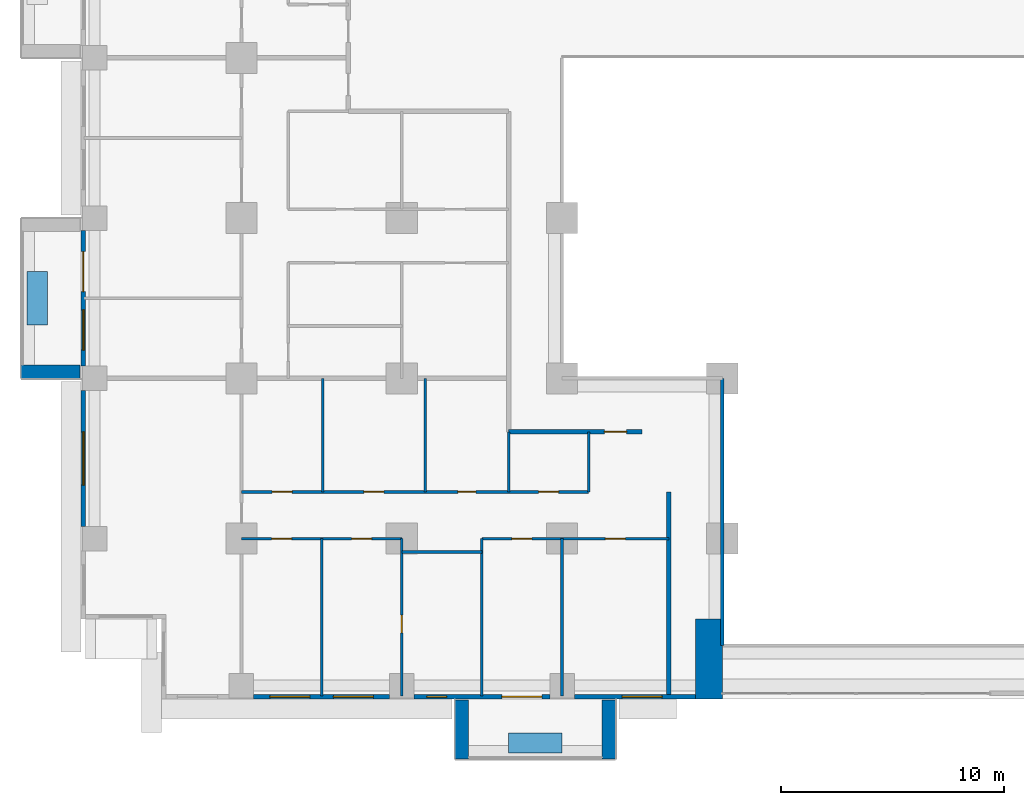
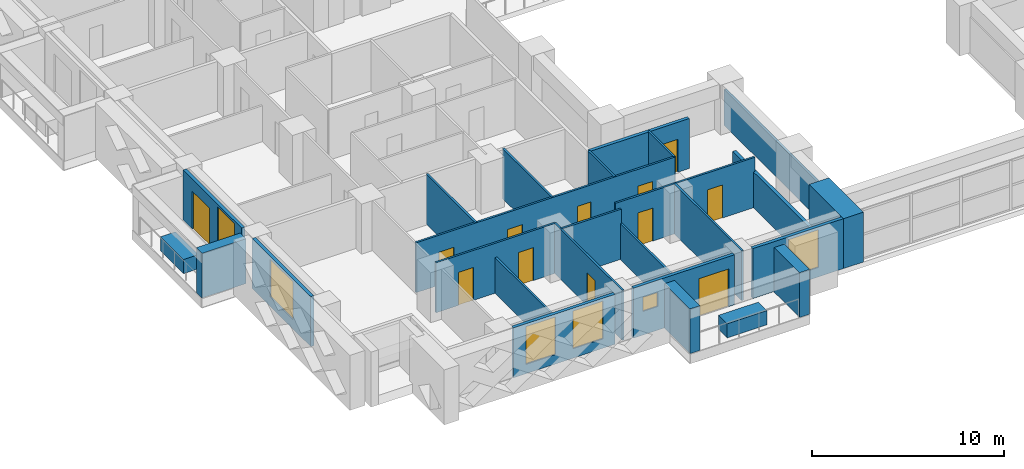
# One storey, part 6 of 17: 26 walls, 12 doors, 6 windows, 18 openings.
"""IFC4 building model written with IfcOpenShell, lengths in metres."""

from ifc_helpers import new_model, si_unit, direction, frame, frame_2d, origin, place, context, subcontext, project, spatial, rectangle, extrude, material, layer, layer_set, type_object, element, fill, save


model = new_model("IFC4")

# Units and contexts
model_context = context("Model", 3, precision=1e-05, world=origin(), true_north=direction((0.0, 1.0)))
body_context = subcontext(model_context, "Body", "Model", "MODEL_VIEW")
ifc_project = project(units=[si_unit("LENGTHUNIT", "METRE"), si_unit("AREAUNIT", "SQUARE_METRE"), si_unit("VOLUMEUNIT", "CUBIC_METRE"), si_unit("PLANEANGLEUNIT", "RADIAN"), si_unit("MASSUNIT", "GRAM", prefix="KILO")], contexts=[model_context])

# Site, building, storey
site_placement = place(None, origin())
site = spatial("IfcSite", under=ifc_project, at=site_placement, CompositionType="ELEMENT")
building_placement = place(site_placement, origin())
building = spatial("IfcBuilding", under=site, at=building_placement, Name="Saffron Iwan Residences", CompositionType="ELEMENT")
storey_placement = place(building_placement, frame((0.0, 0.0, 37.5)))
storey = spatial("IfcBuildingStorey", under=building, at=storey_placement, Name="L08", CompositionType="ELEMENT", Elevation=37.5)

# Walls
ifc_material_1 = material(Name="Fire-rated glazing", Category="glass")
ifc_layer_1 = layer(ifc_material_1, 0.14990234375)
ifc_layer_set_1 = layer_set([ifc_layer_1], Name="Fire-rated glazing")
wall_type_1 = type_object("IfcWallType", Name="Atrium glazed screen 150", PredefinedType="SOLIDWALL", material=ifc_layer_set_1)
wall_1_placement = place(storey_placement, frame((43.199951171875, 36.0, 0.0), z_axis=(0.0, 0.0, 1.0), x_axis=(0.0, 1.0, 0.0)))
element("IfcWall", 1, at=wall_1_placement, inside=storey, type_object=wall_type_1, Name="W-L08-SCREEN-v43.2-36", PredefinedType="SOLIDWALL", context=body_context, shape_type="SweptSolid", body=[
    extrude(rectangle(XDim=12.0, YDim=0.14990234375, at=frame_2d((6.0, 0.0))), origin(), (0.0, 0.0, 1.0), 2.280029296875),
])
ifc_material_2 = material(Name="Concrete C50/60 white painted", Category="concrete")
ifc_layer_2 = layer(ifc_material_2, 0.60009765625)
ifc_layer_set_2 = layer_set([ifc_layer_2], Name="Concrete C50/60 white painted")
wall_type_2 = type_object("IfcWallType", Name="BALCONY FIN 600", PredefinedType="SOLIDWALL", material=ifc_layer_set_2)
for number, where, z_axis, x_axis, name in (
    (2, (14.35009765625, 48.300048828125, 0.0), (0.0, 0.0, 1.0), (-1.0, 0.0, 0.0), "Balcony fin L08 F8-1b"),
    (3, (31.5, 33.550048828125, 0.0), (0.0, 0.0, 1.0), (0.0, -1.0, 0.0), "Balcony fin L08 11-0a"),
    (4, (38.10009765625, 33.550048828125, 0.0), (0.0, 0.0, 1.0), (0.0, -1.0, 0.0), "Balcony fin L08 11-0b"),
):
    element("IfcWall", number, at=place(storey_placement, frame(where, z_axis=z_axis, x_axis=x_axis)), inside=storey, type_object=wall_type_2, Name=name, PredefinedType="SOLIDWALL", context=body_context, shape_type="SweptSolid", body=[
        extrude(rectangle(XDim=2.650146484375, YDim=0.60009765625, at=frame_2d((1.3251953125, 0.0))), origin(), (0.0, 0.0, 1.0), 2.85009765625),
    ])
ifc_material_3 = material(Name="Concrete C35/45 white painted", Category="concrete")
ifc_layer_3 = layer(ifc_material_3, 0.14990234375)
ifc_layer_set_3 = layer_set([ifc_layer_3], Name="Concrete C35/45 white painted")
wall_type_3 = type_object("IfcWallType", Name="BALCONY PLANTER", PredefinedType="SOLIDWALL", material=ifc_layer_set_3)
wall_2_placement = place(storey_placement, frame((12.425048828125, 52.800048828125, 0.0), z_axis=(0.0, 0.0, 1.0), x_axis=(0.0, -1.0, 0.0)))
element("IfcWall", 5, at=wall_2_placement, inside=storey, type_object=wall_type_3, Name="PLANTER L08 F8-1", PredefinedType="SOLIDWALL", context=body_context, shape_type="SweptSolid", body=[
    extrude(rectangle(XDim=2.400146484375, YDim=0.89990234375, at=frame_2d((1.2001953125, 0.0))), origin(), (0.0, 0.0, 1.0), 0.89990234375),
])
wall_3_placement = place(storey_placement, frame((33.60009765625, 31.625, 0.0), z_axis=(0.0, 0.0, 1.0), x_axis=(1.0, 0.0, 0.0)))
element("IfcWall", 6, at=wall_3_placement, inside=storey, type_object=wall_type_3, Name="PLANTER L08 11-0", PredefinedType="SOLIDWALL", context=body_context, shape_type="SweptSolid", body=[
    extrude(rectangle(XDim=2.39990234375, YDim=0.89990234375, at=frame_2d((1.199951171875, 0.0))), origin(), (0.0, 0.0, 1.0), 0.89990234375),
])

# Wall, openings, door, window
ifc_material_4 = material(Name="Concrete C40/50", Category="concrete")
ifc_layer_4 = layer(ifc_material_4, 0.199951171875)
ifc_layer_set_4 = layer_set([ifc_layer_4], Name="Concrete C40/50")
wall_type_4 = type_object("IfcWallType", Name="EXTERNAL WALL 200", PredefinedType="SOLIDWALL", material=ifc_layer_set_4)
wall_4_placement = place(storey_placement, frame((14.5, 54.64990234375, 0.0), z_axis=(0.0, 0.0, 1.0), x_axis=(0.0, -1.0, 0.0)))
wall_4 = element("IfcWall", 7, at=wall_4_placement, inside=storey, type_object=wall_type_4, Name="External wall L08 F8.3", PredefinedType="SOLIDWALL", context=body_context, shape_type="SweptSolid", body=[
    extrude(rectangle(XDim=6.099853515625, YDim=0.199951171875, at=frame_2d((3.0498046875, 0.0))), origin(), (0.0, 0.0, 1.0), 3.179931640625),
])
opening_1_placement = place(wall_4_placement, frame((0.949951171875, 0.0, 0.0)))
opening_1 = element("IfcOpeningElement", 8, at=opening_1_placement, cuts=wall_4, Name="Opening BD1", PredefinedType="OPENING", context=body_context, shape_type="SweptSolid", body=[
    extrude(rectangle(XDim=1.800048828125, YDim=2.39990234375, at=frame_2d((0.89990234375, 1.199951171875))), frame((0.0, 0.10986328125, 0.0), z_axis=(0.0, -1.0, 0.0), x_axis=(1.0, 0.0, 0.0)), (0.0, 0.0, 1.0), 0.219970703125),
])
opening_2_placement = place(wall_4_placement, frame((3.574951171875, 0.0, 0.60009765625)))
opening_2 = element("IfcOpeningElement", 9, at=opening_2_placement, cuts=wall_4, Name="Opening W8", PredefinedType="OPENING", context=body_context, shape_type="SweptSolid", body=[
    extrude(rectangle(XDim=1.800048828125, YDim=2.39990234375, at=frame_2d((0.89990234375, 1.199951171875))), frame((0.0, 0.10986328125, 0.0), z_axis=(0.0, -1.0, 0.0), x_axis=(1.0, 0.0, 0.0)), (0.0, 0.0, 1.0), 0.219970703125),
])
ifc_material_5 = material(Name="Clear glass, laminated double glazed", Category="glass")
door_type_1 = type_object("IfcDoorType", Name="BALCONY DOOR 1800 x 2400", OperationType="DOUBLE_DOOR_SLIDING", PredefinedType="DOOR", material=ifc_material_5)
door_1_placement = place(opening_1_placement, origin())
door_1 = element("IfcDoor", 10, at=door_1_placement, inside=storey, type_object=door_type_1, Name="Balcony door L08 F8.0", OperationType="DOUBLE_DOOR_SLIDING", OverallHeight=2.39990234375, OverallWidth=1.800048828125, PredefinedType="DOOR", context=body_context, shape_type="SweptSolid", body=[
    extrude(rectangle(XDim=1.800048828125, YDim=2.39990234375, at=frame_2d((0.89990234375, 1.199951171875))), frame((0.0, 0.02490234375, 0.0), z_axis=(0.0, -1.0, 0.0), x_axis=(1.0, 0.0, 0.0)), (0.0, 0.0, 1.0), 0.050048828125),
])
fill(opening_1, door_1)
window_type_1 = type_object("IfcWindowType", Name="WINDOW 1800 x 2400", PartitioningType="DOUBLE_PANEL_VERTICAL", PredefinedType="WINDOW", material=ifc_material_5)
window_1_placement = place(opening_2_placement, origin())
window_1 = element("IfcWindow", 11, at=window_1_placement, inside=storey, type_object=window_type_1, Name="Window L08 F8.1", OverallHeight=2.39990234375, OverallWidth=1.800048828125, PartitioningType="DOUBLE_PANEL_VERTICAL", PredefinedType="WINDOW", context=body_context, shape_type="SweptSolid", body=[
    extrude(rectangle(XDim=1.800048828125, YDim=2.39990234375, at=frame_2d((0.89990234375, 1.199951171875))), frame((0.0, 0.030029296875, 0.0), z_axis=(0.0, -1.0, 0.0), x_axis=(1.0, 0.0, 0.0)), (0.0, 0.0, 1.0), 0.06005859375),
])
fill(opening_2, window_1)

# Wall, opening, window
wall_5_placement = place(storey_placement, frame((14.5, 47.449951171875, 0.0), z_axis=(0.0, 0.0, 1.0), x_axis=(0.0, -1.0, 0.0)))
wall_5 = element("IfcWall", 12, at=wall_5_placement, inside=storey, type_object=wall_type_4, Name="External wall L08 F8.4", PredefinedType="SOLIDWALL", context=body_context, shape_type="SweptSolid", body=[
    extrude(rectangle(XDim=6.099853515625, YDim=0.199951171875, at=frame_2d((3.0498046875, 0.0))), origin(), (0.0, 0.0, 1.0), 3.179931640625),
])
opening_3_placement = place(wall_5_placement, frame((1.85009765625, 0.0, 0.60009765625)))
opening_3 = element("IfcOpeningElement", 13, at=opening_3_placement, cuts=wall_5, Name="Opening W1", PredefinedType="OPENING", context=body_context, shape_type="SweptSolid", body=[
    extrude(rectangle(XDim=2.39990234375, YDim=2.39990234375, at=frame_2d((1.199951171875, 1.199951171875))), frame((0.0, 0.10986328125, 0.0), z_axis=(0.0, -1.0, 0.0), x_axis=(1.0, 0.0, 0.0)), (0.0, 0.0, 1.0), 0.219970703125),
])
window_type_2 = type_object("IfcWindowType", Name="WINDOW 2400 x 2400", PartitioningType="DOUBLE_PANEL_VERTICAL", PredefinedType="WINDOW", material=ifc_material_5)
window_2_placement = place(opening_3_placement, origin())
window_2 = element("IfcWindow", 14, at=window_2_placement, inside=storey, type_object=window_type_2, Name="Window L08 F8.0", OverallHeight=2.39990234375, OverallWidth=2.39990234375, PartitioningType="DOUBLE_PANEL_VERTICAL", PredefinedType="WINDOW", context=body_context, shape_type="SweptSolid", body=[
    extrude(rectangle(XDim=2.39990234375, YDim=2.39990234375, at=frame_2d((1.199951171875, 1.199951171875))), frame((0.0, 0.030029296875, 0.0), z_axis=(0.0, -1.0, 0.0), x_axis=(1.0, 0.0, 0.0)), (0.0, 0.0, 1.0), 0.06005859375),
])
fill(opening_3, window_2)

# Wall, openings, windows
wall_6_placement = place(storey_placement, frame((22.14990234375, 33.699951171875, 0.0), z_axis=(0.0, 0.0, 1.0), x_axis=(1.0, 0.0, 0.0)))
wall_6 = element("IfcWall", 15, at=wall_6_placement, inside=storey, type_object=wall_type_4, Name="External wall L08 F11.1", PredefinedType="SOLIDWALL", context=body_context, shape_type="SweptSolid", body=[
    extrude(rectangle(XDim=6.10009765625, YDim=0.199951171875, at=frame_2d((3.050048828125, 0.0))), origin(), (0.0, 0.0, 1.0), 3.179931640625),
])
opening_4_placement = place(wall_6_placement, frame((0.72509765625, 0.0, 0.60009765625)))
opening_4 = element("IfcOpeningElement", 16, at=opening_4_placement, cuts=wall_6, Name="Opening W8", PredefinedType="OPENING", context=body_context, shape_type="SweptSolid", body=[
    extrude(rectangle(XDim=1.800048828125, YDim=2.39990234375, at=frame_2d((0.89990234375, 1.199951171875))), frame((0.0, 0.10986328125, 0.0), z_axis=(0.0, -1.0, 0.0), x_axis=(1.0, 0.0, 0.0)), (0.0, 0.0, 1.0), 0.219970703125),
])
opening_5_placement = place(wall_6_placement, frame((3.574951171875, 0.0, 0.60009765625)))
opening_5 = element("IfcOpeningElement", 17, at=opening_5_placement, cuts=wall_6, Name="Opening W8", PredefinedType="OPENING", context=body_context, shape_type="SweptSolid", body=[
    extrude(rectangle(XDim=1.800048828125, YDim=2.39990234375, at=frame_2d((0.89990234375, 1.199951171875))), frame((0.0, 0.10986328125, 0.0), z_axis=(0.0, -1.0, 0.0), x_axis=(1.0, 0.0, 0.0)), (0.0, 0.0, 1.0), 0.219970703125),
])
window_3_placement = place(opening_4_placement, origin())
window_3 = element("IfcWindow", 18, at=window_3_placement, inside=storey, type_object=window_type_1, Name="Window L08 F11.0", OverallHeight=2.39990234375, OverallWidth=1.800048828125, PartitioningType="DOUBLE_PANEL_VERTICAL", PredefinedType="WINDOW", context=body_context, shape_type="SweptSolid", body=[
    extrude(rectangle(XDim=1.800048828125, YDim=2.39990234375, at=frame_2d((0.89990234375, 1.199951171875))), frame((0.0, 0.030029296875, 0.0), z_axis=(0.0, -1.0, 0.0), x_axis=(1.0, 0.0, 0.0)), (0.0, 0.0, 1.0), 0.06005859375),
])
fill(opening_4, window_3)
window_4_placement = place(opening_5_placement, origin())
window_4 = element("IfcWindow", 19, at=window_4_placement, inside=storey, type_object=window_type_1, Name="Window L08 F11.1", OverallHeight=2.39990234375, OverallWidth=1.800048828125, PartitioningType="DOUBLE_PANEL_VERTICAL", PredefinedType="WINDOW", context=body_context, shape_type="SweptSolid", body=[
    extrude(rectangle(XDim=1.800048828125, YDim=2.39990234375, at=frame_2d((0.89990234375, 1.199951171875))), frame((0.0, 0.030029296875, 0.0), z_axis=(0.0, -1.0, 0.0), x_axis=(1.0, 0.0, 0.0)), (0.0, 0.0, 1.0), 0.06005859375),
])
fill(opening_5, window_4)

# Wall, openings, door, window
wall_7_placement = place(storey_placement, frame((29.35009765625, 33.699951171875, 0.0), z_axis=(0.0, 0.0, 1.0), x_axis=(1.0, 0.0, 0.0)))
wall_7 = element("IfcWall", 20, at=wall_7_placement, inside=storey, type_object=wall_type_4, Name="External wall L08 F11.2", PredefinedType="SOLIDWALL", context=body_context, shape_type="SweptSolid", body=[
    extrude(rectangle(XDim=6.099853515625, YDim=0.199951171875, at=frame_2d((3.0498046875, 0.0))), origin(), (0.0, 0.0, 1.0), 3.179931640625),
])
opening_6_placement = place(wall_7_placement, frame((3.949951171875, 0.0, 0.0)))
opening_6 = element("IfcOpeningElement", 21, at=opening_6_placement, cuts=wall_7, Name="Opening BD1", PredefinedType="OPENING", context=body_context, shape_type="SweptSolid", body=[
    extrude(rectangle(XDim=1.800048828125, YDim=2.39990234375, at=frame_2d((0.89990234375, 1.199951171875))), frame((0.0, 0.10986328125, 0.0), z_axis=(0.0, -1.0, 0.0), x_axis=(1.0, 0.0, 0.0)), (0.0, 0.0, 1.0), 0.219970703125),
])
opening_7_placement = place(wall_7_placement, frame((0.574951171875, 0.0, 1.5)))
opening_7 = element("IfcOpeningElement", 22, at=opening_7_placement, cuts=wall_7, Name="Opening W6", PredefinedType="OPENING", context=body_context, shape_type="SweptSolid", body=[
    extrude(rectangle(XDim=0.89990234375, YDim=0.89990234375, at=frame_2d((0.449951171875, 0.449951171875))), frame((0.0, 0.10986328125, 0.0), z_axis=(0.0, -1.0, 0.0), x_axis=(1.0, 0.0, 0.0)), (0.0, 0.0, 1.0), 0.219970703125),
])
door_2_placement = place(opening_6_placement, origin())
door_2 = element("IfcDoor", 23, at=door_2_placement, inside=storey, type_object=door_type_1, Name="Balcony door L08 F11.0", OperationType="DOUBLE_DOOR_SLIDING", OverallHeight=2.39990234375, OverallWidth=1.800048828125, PredefinedType="DOOR", context=body_context, shape_type="SweptSolid", body=[
    extrude(rectangle(XDim=1.800048828125, YDim=2.39990234375, at=frame_2d((0.89990234375, 1.199951171875))), frame((0.0, 0.02490234375, 0.0), z_axis=(0.0, -1.0, 0.0), x_axis=(1.0, 0.0, 0.0)), (0.0, 0.0, 1.0), 0.050048828125),
])
fill(opening_6, door_2)
window_type_3 = type_object("IfcWindowType", Name="WINDOW 900 x 900 BATH", PartitioningType="SINGLE_PANEL", PredefinedType="WINDOW", material=ifc_material_5)
window_5_placement = place(opening_7_placement, origin())
window_5 = element("IfcWindow", 24, at=window_5_placement, inside=storey, type_object=window_type_3, Name="Window L08 F11.1", OverallHeight=0.89990234375, OverallWidth=0.89990234375, PartitioningType="SINGLE_PANEL", PredefinedType="WINDOW", context=body_context, shape_type="SweptSolid", body=[
    extrude(rectangle(XDim=0.89990234375, YDim=0.89990234375, at=frame_2d((0.449951171875, 0.449951171875))), frame((0.0, 0.030029296875, 0.0), z_axis=(0.0, -1.0, 0.0), x_axis=(1.0, 0.0, 0.0)), (0.0, 0.0, 1.0), 0.06005859375),
])
fill(opening_7, window_5)

# Wall, opening, window
wall_8_placement = place(storey_placement, frame((36.550048828125, 33.699951171875, 0.0), z_axis=(0.0, 0.0, 1.0), x_axis=(1.0, 0.0, 0.0)))
wall_8 = element("IfcWall", 25, at=wall_8_placement, inside=storey, type_object=wall_type_4, Name="External wall L08 F11.3", PredefinedType="SOLIDWALL", context=body_context, shape_type="SweptSolid", body=[
    extrude(rectangle(XDim=5.449951171875, YDim=0.199951171875, at=frame_2d((2.72509765625, 0.0))), origin(), (0.0, 0.0, 1.0), 3.179931640625),
])
opening_8_placement = place(wall_8_placement, frame((2.14990234375, 0.0, 0.60009765625)))
opening_8 = element("IfcOpeningElement", 26, at=opening_8_placement, cuts=wall_8, Name="Opening W8", PredefinedType="OPENING", context=body_context, shape_type="SweptSolid", body=[
    extrude(rectangle(XDim=1.800048828125, YDim=2.39990234375, at=frame_2d((0.89990234375, 1.199951171875))), frame((0.0, 0.10986328125, 0.0), z_axis=(0.0, -1.0, 0.0), x_axis=(1.0, 0.0, 0.0)), (0.0, 0.0, 1.0), 0.219970703125),
])
window_6_placement = place(opening_8_placement, origin())
window_6 = element("IfcWindow", 27, at=window_6_placement, inside=storey, type_object=window_type_1, Name="Window L08 F11.0", OverallHeight=2.39990234375, OverallWidth=1.800048828125, PartitioningType="DOUBLE_PANEL_VERTICAL", PredefinedType="WINDOW", context=body_context, shape_type="SweptSolid", body=[
    extrude(rectangle(XDim=1.800048828125, YDim=2.39990234375, at=frame_2d((0.89990234375, 1.199951171875))), frame((0.0, 0.030029296875, 0.0), z_axis=(0.0, -1.0, 0.0), x_axis=(1.0, 0.0, 0.0)), (0.0, 0.0, 1.0), 0.06005859375),
])
fill(opening_8, window_6)

# Wall
ifc_material_6 = material(Name="Gypsum board partition")
ifc_layer_5 = layer(ifc_material_6, 0.1201171875)
ifc_layer_set_5 = layer_set([ifc_layer_5], Name="Gypsum board partition")
wall_type_5 = type_object("IfcWallType", Name="Flat partition 120", PredefinedType="PARTITIONING", material=ifc_layer_set_5)
wall_9_placement = place(storey_placement, frame((28.800048828125, 40.199951171875, 0.0), z_axis=(0.0, 0.0, 1.0), x_axis=(1.0, 0.0, 0.0)))
element("IfcWall", 28, at=wall_9_placement, inside=storey, type_object=wall_type_5, Name="W-L08-PART-h40.2-28.8", PredefinedType="PARTITIONING", context=body_context, shape_type="SweptSolid", body=[
    extrude(rectangle(XDim=3.599853515625, YDim=0.1201171875, at=frame_2d((1.7998046875, 0.0))), origin(), (0.0, 0.0, 1.0), 3.179931640625),
])

# Wall, openings, doors
wall_10_placement = place(storey_placement, frame((21.60009765625, 40.800048828125, 0.0), z_axis=(0.0, 0.0, 1.0), x_axis=(1.0, 0.0, 0.0)))
wall_10 = element("IfcWall", 29, at=wall_10_placement, inside=storey, type_object=wall_type_5, Name="W-L08-PART-h40.8-21.6", PredefinedType="PARTITIONING", context=body_context, shape_type="SweptSolid", body=[
    extrude(rectangle(XDim=7.199951171875, YDim=0.1201171875, at=frame_2d((3.60009765625, 0.0))), origin(), (0.0, 0.0, 1.0), 3.179931640625),
])
opening_9_placement = place(wall_10_placement, frame((1.35009765625, 0.0, 0.0)))
opening_9 = element("IfcOpeningElement", 30, at=opening_9_placement, cuts=wall_10, Name="Opening FD2", PredefinedType="OPENING", context=body_context, shape_type="SweptSolid", body=[
    extrude(rectangle(XDim=0.89990234375, YDim=2.10009765625, at=frame_2d((0.449951171875, 1.050048828125))), frame((0.0, 0.070068359375, 0.0), z_axis=(0.0, -1.0, 0.0), x_axis=(1.0, 0.0, 0.0)), (0.0, 0.0, 1.0), 0.14013671875),
])
opening_10_placement = place(wall_10_placement, frame((4.949951171875, 0.0, 0.0)))
opening_10 = element("IfcOpeningElement", 31, at=opening_10_placement, cuts=wall_10, Name="Opening FD2", PredefinedType="OPENING", context=body_context, shape_type="SweptSolid", body=[
    extrude(rectangle(XDim=0.89990234375, YDim=2.10009765625, at=frame_2d((0.449951171875, 1.050048828125))), frame((0.0, 0.070068359375, 0.0), z_axis=(0.0, -1.0, 0.0), x_axis=(1.0, 0.0, 0.0)), (0.0, 0.0, 1.0), 0.14013671875),
])
ifc_material_7 = material(Name="Timber door", Category="wood")
door_type_2 = type_object("IfcDoorType", Name="Flat door 900", OperationType="NOTDEFINED", PredefinedType="DOOR", material=ifc_material_7)
door_3_placement = place(opening_9_placement, origin())
door_3 = element("IfcDoor", 32, at=door_3_placement, inside=storey, type_object=door_type_2, Name="Door L08-003", OperationType="SINGLE_SWING_LEFT", OverallHeight=2.10009765625, OverallWidth=0.89990234375, PredefinedType="DOOR", context=body_context, shape_type="SweptSolid", body=[
    extrude(rectangle(XDim=0.89990234375, YDim=2.10009765625, at=frame_2d((0.449951171875, 1.050048828125))), frame((0.0, 0.02490234375, 0.0), z_axis=(0.0, -1.0, 0.0), x_axis=(1.0, 0.0, 0.0)), (0.0, 0.0, 1.0), 0.050048828125),
])
fill(opening_9, door_3)
door_4_placement = place(opening_10_placement, origin())
door_4 = element("IfcDoor", 33, at=door_4_placement, inside=storey, type_object=door_type_2, Name="Door L08-004", OperationType="SINGLE_SWING_LEFT", OverallHeight=2.10009765625, OverallWidth=0.89990234375, PredefinedType="DOOR", context=body_context, shape_type="SweptSolid", body=[
    extrude(rectangle(XDim=0.89990234375, YDim=2.10009765625, at=frame_2d((0.449951171875, 1.050048828125))), frame((0.0, 0.02490234375, 0.0), z_axis=(0.0, -1.0, 0.0), x_axis=(1.0, 0.0, 0.0)), (0.0, 0.0, 1.0), 0.050048828125),
])
fill(opening_10, door_4)

wall_11_placement = place(storey_placement, frame((32.39990234375, 40.800048828125, 0.0), z_axis=(0.0, 0.0, 1.0), x_axis=(1.0, 0.0, 0.0)))
wall_11 = element("IfcWall", 34, at=wall_11_placement, inside=storey, type_object=wall_type_5, Name="W-L08-PART-h40.8-32.4", PredefinedType="PARTITIONING", context=body_context, shape_type="SweptSolid", body=[
    extrude(rectangle(XDim=8.400146484375, YDim=0.1201171875, at=frame_2d((4.2001953125, 0.0))), origin(), (0.0, 0.0, 1.0), 3.179931640625),
])
opening_11_placement = place(wall_11_placement, frame((1.35009765625, 0.0, 0.0)))
opening_11 = element("IfcOpeningElement", 35, at=opening_11_placement, cuts=wall_11, Name="Opening FD2", PredefinedType="OPENING", context=body_context, shape_type="SweptSolid", body=[
    extrude(rectangle(XDim=0.89990234375, YDim=2.10009765625, at=frame_2d((0.449951171875, 1.050048828125))), frame((0.0, 0.070068359375, 0.0), z_axis=(0.0, -1.0, 0.0), x_axis=(1.0, 0.0, 0.0)), (0.0, 0.0, 1.0), 0.14013671875),
])
opening_12_placement = place(wall_11_placement, frame((5.550048828125, 0.0, 0.0)))
opening_12 = element("IfcOpeningElement", 36, at=opening_12_placement, cuts=wall_11, Name="Opening FD2", PredefinedType="OPENING", context=body_context, shape_type="SweptSolid", body=[
    extrude(rectangle(XDim=0.89990234375, YDim=2.10009765625, at=frame_2d((0.449951171875, 1.050048828125))), frame((0.0, 0.070068359375, 0.0), z_axis=(0.0, -1.0, 0.0), x_axis=(1.0, 0.0, 0.0)), (0.0, 0.0, 1.0), 0.14013671875),
])
door_5_placement = place(opening_11_placement, origin())
door_5 = element("IfcDoor", 37, at=door_5_placement, inside=storey, type_object=door_type_2, Name="Door L08-006", OperationType="SINGLE_SWING_LEFT", OverallHeight=2.10009765625, OverallWidth=0.89990234375, PredefinedType="DOOR", context=body_context, shape_type="SweptSolid", body=[
    extrude(rectangle(XDim=0.89990234375, YDim=2.10009765625, at=frame_2d((0.449951171875, 1.050048828125))), frame((0.0, 0.02490234375, 0.0), z_axis=(0.0, -1.0, 0.0), x_axis=(1.0, 0.0, 0.0)), (0.0, 0.0, 1.0), 0.050048828125),
])
fill(opening_11, door_5)
door_6_placement = place(opening_12_placement, origin())
door_6 = element("IfcDoor", 38, at=door_6_placement, inside=storey, type_object=door_type_2, Name="Door L08-007", OperationType="SINGLE_SWING_LEFT", OverallHeight=2.10009765625, OverallWidth=0.89990234375, PredefinedType="DOOR", context=body_context, shape_type="SweptSolid", body=[
    extrude(rectangle(XDim=0.89990234375, YDim=2.10009765625, at=frame_2d((0.449951171875, 1.050048828125))), frame((0.0, 0.02490234375, 0.0), z_axis=(0.0, -1.0, 0.0), x_axis=(1.0, 0.0, 0.0)), (0.0, 0.0, 1.0), 0.050048828125),
])
fill(opening_12, door_6)

wall_12_placement = place(storey_placement, frame((21.60009765625, 42.89990234375, 0.0), z_axis=(0.0, 0.0, 1.0), x_axis=(1.0, 0.0, 0.0)))
wall_12 = element("IfcWall", 39, at=wall_12_placement, inside=storey, type_object=wall_type_5, Name="W-L08-PART-h42.9-21.6", PredefinedType="PARTITIONING", context=body_context, shape_type="SweptSolid", body=[
    extrude(rectangle(XDim=15.599853515625, YDim=0.1201171875, at=frame_2d((7.7998046875, 0.0))), origin(), (0.0, 0.0, 1.0), 3.179931640625),
])
opening_13_placement = place(wall_12_placement, frame((1.375, 0.0, 0.0)))
opening_13 = element("IfcOpeningElement", 40, at=opening_13_placement, cuts=wall_12, Name="Opening FD2", PredefinedType="OPENING", context=body_context, shape_type="SweptSolid", body=[
    extrude(rectangle(XDim=0.89990234375, YDim=2.10009765625, at=frame_2d((0.449951171875, 1.050048828125))), frame((0.0, 0.070068359375, 0.0), z_axis=(0.0, -1.0, 0.0), x_axis=(1.0, 0.0, 0.0)), (0.0, 0.0, 1.0), 0.14013671875),
])
opening_14_placement = place(wall_12_placement, frame((5.5, 0.0, 0.0)))
opening_14 = element("IfcOpeningElement", 41, at=opening_14_placement, cuts=wall_12, Name="Opening FD2", PredefinedType="OPENING", context=body_context, shape_type="SweptSolid", body=[
    extrude(rectangle(XDim=0.89990234375, YDim=2.10009765625, at=frame_2d((0.449951171875, 1.050048828125))), frame((0.0, 0.070068359375, 0.0), z_axis=(0.0, -1.0, 0.0), x_axis=(1.0, 0.0, 0.0)), (0.0, 0.0, 1.0), 0.14013671875),
])
opening_15_placement = place(wall_12_placement, frame((9.72509765625, 0.0, 0.0)))
opening_15 = element("IfcOpeningElement", 42, at=opening_15_placement, cuts=wall_12, Name="Opening FD3", PredefinedType="OPENING", context=body_context, shape_type="SweptSolid", body=[
    extrude(rectangle(XDim=0.800048828125, YDim=2.10009765625, at=frame_2d((0.39990234375, 1.050048828125))), frame((0.0, 0.070068359375, 0.0), z_axis=(0.0, -1.0, 0.0), x_axis=(1.0, 0.0, 0.0)), (0.0, 0.0, 1.0), 0.14013671875),
])
opening_16_placement = place(wall_12_placement, frame((13.35009765625, 0.0, 0.0)))
opening_16 = element("IfcOpeningElement", 43, at=opening_16_placement, cuts=wall_12, Name="Opening FD2", PredefinedType="OPENING", context=body_context, shape_type="SweptSolid", body=[
    extrude(rectangle(XDim=0.89990234375, YDim=2.10009765625, at=frame_2d((0.449951171875, 1.050048828125))), frame((0.0, 0.070068359375, 0.0), z_axis=(0.0, -1.0, 0.0), x_axis=(1.0, 0.0, 0.0)), (0.0, 0.0, 1.0), 0.14013671875),
])
door_type_3 = type_object("IfcDoorType", Name="Bathroom door 800", OperationType="NOTDEFINED", PredefinedType="DOOR", material=ifc_material_7)
door_7_placement = place(opening_15_placement, origin())
door_7 = element("IfcDoor", 44, at=door_7_placement, inside=storey, type_object=door_type_3, Name="Door L08-010", OperationType="SINGLE_SWING_LEFT", OverallHeight=2.10009765625, OverallWidth=0.800048828125, PredefinedType="DOOR", context=body_context, shape_type="SweptSolid", body=[
    extrude(rectangle(XDim=0.800048828125, YDim=2.10009765625, at=frame_2d((0.39990234375, 1.050048828125))), frame((0.0, 0.02490234375, 0.0), z_axis=(0.0, -1.0, 0.0), x_axis=(1.0, 0.0, 0.0)), (0.0, 0.0, 1.0), 0.050048828125),
])
fill(opening_15, door_7)
door_8_placement = place(opening_13_placement, origin())
door_8 = element("IfcDoor", 45, at=door_8_placement, inside=storey, type_object=door_type_2, Name="Door L08-008", OperationType="SINGLE_SWING_RIGHT", OverallHeight=2.10009765625, OverallWidth=0.89990234375, PredefinedType="DOOR", context=body_context, shape_type="SweptSolid", body=[
    extrude(rectangle(XDim=0.89990234375, YDim=2.10009765625, at=frame_2d((0.449951171875, 1.050048828125))), frame((0.0, 0.02490234375, 0.0), z_axis=(0.0, -1.0, 0.0), x_axis=(1.0, 0.0, 0.0)), (0.0, 0.0, 1.0), 0.050048828125),
])
fill(opening_13, door_8)
door_9_placement = place(opening_14_placement, origin())
door_9 = element("IfcDoor", 46, at=door_9_placement, inside=storey, type_object=door_type_2, Name="Door L08-009", OperationType="SINGLE_SWING_LEFT", OverallHeight=2.10009765625, OverallWidth=0.89990234375, PredefinedType="DOOR", context=body_context, shape_type="SweptSolid", body=[
    extrude(rectangle(XDim=0.89990234375, YDim=2.10009765625, at=frame_2d((0.449951171875, 1.050048828125))), frame((0.0, 0.02490234375, 0.0), z_axis=(0.0, -1.0, 0.0), x_axis=(1.0, 0.0, 0.0)), (0.0, 0.0, 1.0), 0.050048828125),
])
fill(opening_14, door_9)
door_10_placement = place(opening_16_placement, origin())
door_10 = element("IfcDoor", 47, at=door_10_placement, inside=storey, type_object=door_type_2, Name="Door L08-011", OperationType="SINGLE_SWING_RIGHT", OverallHeight=2.10009765625, OverallWidth=0.89990234375, PredefinedType="DOOR", context=body_context, shape_type="SweptSolid", body=[
    extrude(rectangle(XDim=0.89990234375, YDim=2.10009765625, at=frame_2d((0.449951171875, 1.050048828125))), frame((0.0, 0.02490234375, 0.0), z_axis=(0.0, -1.0, 0.0), x_axis=(1.0, 0.0, 0.0)), (0.0, 0.0, 1.0), 0.050048828125),
])
fill(opening_16, door_10)

# Walls
wall_13_placement = place(storey_placement, frame((25.199951171875, 33.72509765625, 0.0), z_axis=(0.0, 0.0, 1.0), x_axis=(0.0, 1.0, 0.0)))
element("IfcWall", 48, at=wall_13_placement, inside=storey, type_object=wall_type_5, Name="W-L08-PART-v25.2-33.725", PredefinedType="PARTITIONING", context=body_context, shape_type="SweptSolid", body=[
    extrude(rectangle(XDim=7.074951171875, YDim=0.1201171875, at=frame_2d((3.53759765625, 0.0))), origin(), (0.0, 0.0, 1.0), 2.280029296875),
])
wall_14_placement = place(storey_placement, frame((25.25, 42.89990234375, 0.0), z_axis=(0.0, 0.0, 1.0), x_axis=(0.0, 1.0, 0.0)))
element("IfcWall", 49, at=wall_14_placement, inside=storey, type_object=wall_type_5, Name="W-L08-PART-v25.25-42.9", PredefinedType="PARTITIONING", context=body_context, shape_type="SweptSolid", body=[
    extrude(rectangle(XDim=5.10009765625, YDim=0.1201171875, at=frame_2d((2.550048828125, 0.0))), origin(), (0.0, 0.0, 1.0), 3.179931640625),
])

# Wall, opening, door
wall_15_placement = place(storey_placement, frame((28.800048828125, 33.72509765625, 0.0), z_axis=(0.0, 0.0, 1.0), x_axis=(0.0, 1.0, 0.0)))
wall_15 = element("IfcWall", 50, at=wall_15_placement, inside=storey, type_object=wall_type_5, Name="W-L08-PART-v28.8-33.725", PredefinedType="PARTITIONING", context=body_context, shape_type="SweptSolid", body=[
    extrude(rectangle(XDim=7.074951171875, YDim=0.1201171875, at=frame_2d((3.53759765625, 0.0))), origin(), (0.0, 0.0, 1.0), 3.179931640625),
])
opening_17_placement = place(wall_15_placement, frame((2.83740234375, 0.0, 0.0)))
opening_17 = element("IfcOpeningElement", 51, at=opening_17_placement, cuts=wall_15, Name="Opening FD3", PredefinedType="OPENING", context=body_context, shape_type="SweptSolid", body=[
    extrude(rectangle(XDim=0.800048828125, YDim=2.10009765625, at=frame_2d((0.39990234375, 1.050048828125))), frame((0.0, 0.070068359375, 0.0), z_axis=(0.0, -1.0, 0.0), x_axis=(1.0, 0.0, 0.0)), (0.0, 0.0, 1.0), 0.14013671875),
])
door_11_placement = place(opening_17_placement, origin())
door_11 = element("IfcDoor", 52, at=door_11_placement, inside=storey, type_object=door_type_3, Name="Door L08-005", OperationType="SINGLE_SWING_RIGHT", OverallHeight=2.10009765625, OverallWidth=0.800048828125, PredefinedType="DOOR", context=body_context, shape_type="SweptSolid", body=[
    extrude(rectangle(XDim=0.800048828125, YDim=2.10009765625, at=frame_2d((0.39990234375, 1.050048828125))), frame((0.0, 0.02490234375, 0.0), z_axis=(0.0, -1.0, 0.0), x_axis=(1.0, 0.0, 0.0)), (0.0, 0.0, 1.0), 0.050048828125),
])
fill(opening_17, door_11)

# Walls
wall_16_placement = place(storey_placement, frame((29.85009765625, 42.89990234375, 0.0), z_axis=(0.0, 0.0, 1.0), x_axis=(0.0, 1.0, 0.0)))
element("IfcWall", 53, at=wall_16_placement, inside=storey, type_object=wall_type_5, Name="W-L08-PART-v29.85-42.9", PredefinedType="PARTITIONING", context=body_context, shape_type="SweptSolid", body=[
    extrude(rectangle(XDim=5.10009765625, YDim=0.1201171875, at=frame_2d((2.550048828125, 0.0))), origin(), (0.0, 0.0, 1.0), 3.179931640625),
])
wall_17_placement = place(storey_placement, frame((32.39990234375, 33.72509765625, 0.0), z_axis=(0.0, 0.0, 1.0), x_axis=(0.0, 1.0, 0.0)))
element("IfcWall", 54, at=wall_17_placement, inside=storey, type_object=wall_type_5, Name="W-L08-PART-v32.4-33.725", PredefinedType="PARTITIONING", context=body_context, shape_type="SweptSolid", body=[
    extrude(rectangle(XDim=7.074951171875, YDim=0.1201171875, at=frame_2d((3.53759765625, 0.0))), origin(), (0.0, 0.0, 1.0), 2.280029296875),
])
wall_18_placement = place(storey_placement, frame((33.60009765625, 42.89990234375, 0.0), z_axis=(0.0, 0.0, 1.0), x_axis=(0.0, 1.0, 0.0)))
element("IfcWall", 55, at=wall_18_placement, inside=storey, type_object=wall_type_5, Name="W-L08-PART-v33.6-42.9", PredefinedType="PARTITIONING", context=body_context, shape_type="SweptSolid", body=[
    extrude(rectangle(XDim=2.7001953125, YDim=0.1201171875, at=frame_2d((1.35009765625, 0.0))), origin(), (0.0, 0.0, 1.0), 3.179931640625),
])
wall_19_placement = place(storey_placement, frame((36.0, 33.72509765625, 0.0), z_axis=(0.0, 0.0, 1.0), x_axis=(0.0, 1.0, 0.0)))
element("IfcWall", 56, at=wall_19_placement, inside=storey, type_object=wall_type_5, Name="W-L08-PART-v36-33.725", PredefinedType="PARTITIONING", context=body_context, shape_type="SweptSolid", body=[
    extrude(rectangle(XDim=7.074951171875, YDim=0.1201171875, at=frame_2d((3.53759765625, 0.0))), origin(), (0.0, 0.0, 1.0), 3.179931640625),
])
wall_20_placement = place(storey_placement, frame((37.199951171875, 42.89990234375, 0.0), z_axis=(0.0, 0.0, 1.0), x_axis=(0.0, 1.0, 0.0)))
element("IfcWall", 57, at=wall_20_placement, inside=storey, type_object=wall_type_5, Name="W-L08-PART-v37.2-42.9", PredefinedType="PARTITIONING", context=body_context, shape_type="SweptSolid", body=[
    extrude(rectangle(XDim=2.7001953125, YDim=0.1201171875, at=frame_2d((1.35009765625, 0.0))), origin(), (0.0, 0.0, 1.0), 3.179931640625),
])

# Wall, opening, door
ifc_material_8 = material(Name="Fire-rated gypsum board wall")
ifc_layer_6 = layer(ifc_material_8, 0.199951171875)
ifc_layer_set_6 = layer_set([ifc_layer_6], Name="Fire-rated gypsum board wall")
wall_type_6 = type_object("IfcWallType", Name="Gallery wall 200", PredefinedType="SOLIDWALL", material=ifc_layer_set_6)
wall_21_placement = place(storey_placement, frame((33.60009765625, 45.60009765625, 0.0), z_axis=(0.0, 0.0, 1.0), x_axis=(1.0, 0.0, 0.0)))
wall_21 = element("IfcWall", 58, at=wall_21_placement, inside=storey, type_object=wall_type_6, Name="W-L08-CORR-h45.6-33.6", PredefinedType="SOLIDWALL", context=body_context, shape_type="SweptSolid", body=[
    extrude(rectangle(XDim=6.0, YDim=0.199951171875, at=frame_2d((3.0, 0.0))), origin(), (0.0, 0.0, 1.0), 3.179931640625),
])
opening_18_placement = place(wall_21_placement, frame((4.300048828125, 0.0, 0.0)))
opening_18 = element("IfcOpeningElement", 59, at=opening_18_placement, cuts=wall_21, Name="Opening FD1", PredefinedType="OPENING", context=body_context, shape_type="SweptSolid", body=[
    extrude(rectangle(XDim=1.0, YDim=2.10009765625, at=frame_2d((0.5, 1.050048828125))), frame((0.0, 0.10986328125, 0.0), z_axis=(0.0, -1.0, 0.0), x_axis=(1.0, 0.0, 0.0)), (0.0, 0.0, 1.0), 0.219970703125),
])
ifc_material_9 = material(Name="Fire-rated timber door", Category="wood")
door_type_4 = type_object("IfcDoorType", Name="FD30S flat entrance door 1000", OperationType="NOTDEFINED", PredefinedType="DOOR", material=ifc_material_9)
door_12_placement = place(opening_18_placement, origin())
door_12 = element("IfcDoor", 60, at=door_12_placement, inside=storey, type_object=door_type_4, Name="Door L08-001", OperationType="SINGLE_SWING_LEFT", OverallHeight=2.10009765625, OverallWidth=1.0, PredefinedType="DOOR", context=body_context, shape_type="SweptSolid", body=[
    extrude(rectangle(XDim=1.0, YDim=2.10009765625, at=frame_2d((0.5, 1.050048828125))), frame((0.0, 0.02490234375, 0.0), z_axis=(0.0, -1.0, 0.0), x_axis=(1.0, 0.0, 0.0)), (0.0, 0.0, 1.0), 0.050048828125),
])
fill(opening_18, door_12)

# Walls
wall_22_placement = place(storey_placement, frame((40.800048828125, 33.72509765625, 0.0), z_axis=(0.0, 0.0, 1.0), x_axis=(0.0, 1.0, 0.0)))
element("IfcWall", 61, at=wall_22_placement, inside=storey, type_object=wall_type_6, Name="W-L08-CORR-v40.8-33.725", PredefinedType="SOLIDWALL", context=body_context, shape_type="SweptSolid", body=[
    extrude(rectangle(XDim=9.1748046875, YDim=0.199951171875, at=frame_2d((4.58740234375, 0.0))), origin(), (0.0, 0.0, 1.0), 2.280029296875),
])
ifc_material_10 = material(Name="Concrete C60/75", Category="concrete")
ifc_layer_7 = layer(ifc_material_10, 1.199951171875)
ifc_layer_set_7 = layer_set([ifc_layer_7], Name="Concrete C60/75")
wall_type_7 = type_object("IfcWallType", Name="WALL IWAN PIER 1200 C60/75 3180 HIGH", PredefinedType="SHEAR", material=ifc_layer_set_7)
wall_23_placement = place(storey_placement, frame((42.60009765625, 33.60009765625, 0.0), z_axis=(0.0, 0.0, 1.0), x_axis=(0.0, 1.0, 0.0)))
element("IfcWall", 62, at=wall_23_placement, inside=storey, type_object=wall_type_7, Name="IWAN PIER", PredefinedType="SHEAR", context=body_context, shape_type="SweptSolid", body=[
    extrude(rectangle(XDim=3.599853515625, YDim=1.199951171875, at=frame_2d((1.7998046875, 0.0))), origin(), (0.0, 0.0, 1.0), 3.179931640625),
])

save(model, "model.ifc")
